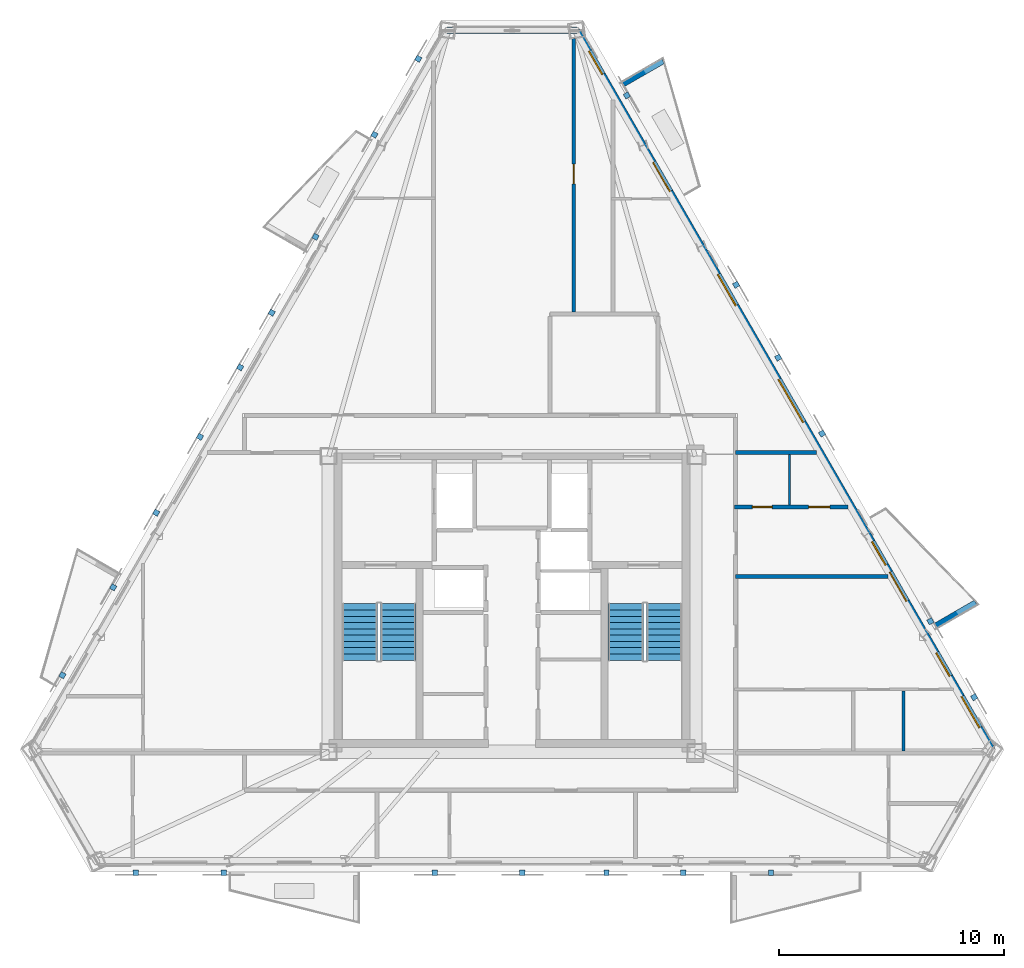
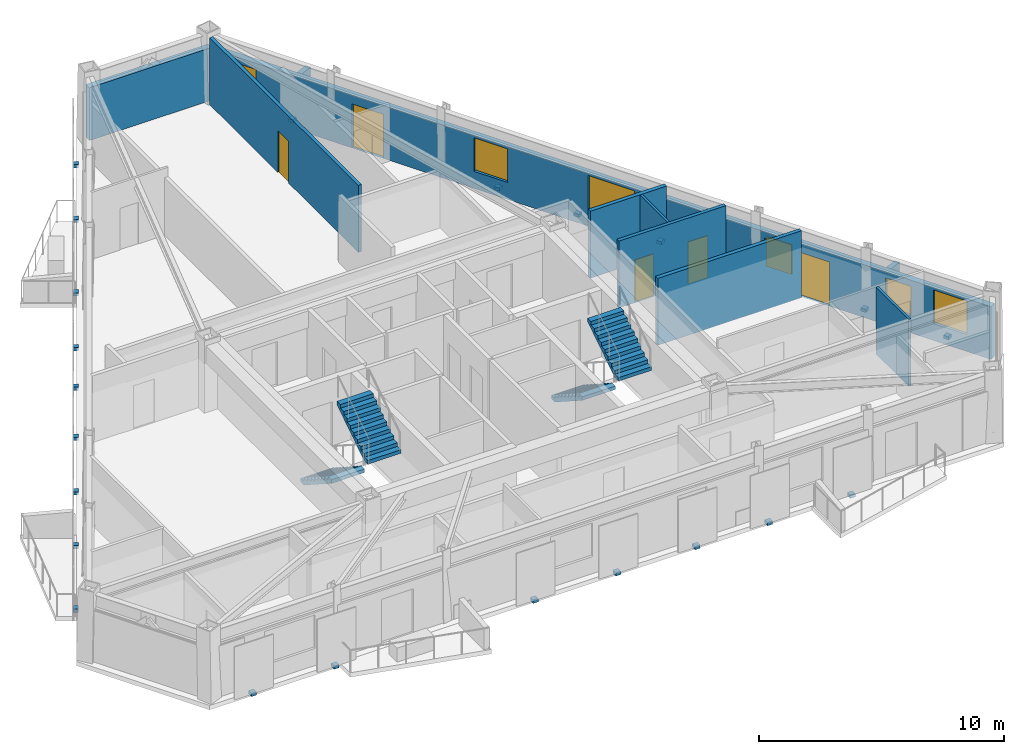
# One storey, part 5 of 8: 22 discrete accessories, 10 walls, 6 windows, 5 doors, 4 stair flights, 11 openings, 2 elements without a shape of their own.
"""IFC4 building model written with IfcOpenShell, lengths in metres."""

from ifc_helpers import new_model, si_unit, direction, frame, frame_2d, origin, origin_2d, place, context, subcontext, project, spatial, polyline, rectangle, outline, extrude, material, layer, layer_set, type_object, element, fill, aggregate, save


model = new_model("IFC4")

# Units and contexts
model_context = context("Model", 3, precision=1e-05, world=origin(), true_north=direction((0.0, 1.0)))
body_context = subcontext(model_context, "Body", "Model", "MODEL_VIEW")
ifc_project = project(units=[si_unit("LENGTHUNIT", "METRE"), si_unit("AREAUNIT", "SQUARE_METRE"), si_unit("VOLUMEUNIT", "CUBIC_METRE"), si_unit("PLANEANGLEUNIT", "RADIAN"), si_unit("MASSUNIT", "GRAM", prefix="KILO")], contexts=[model_context])

# Site, building, storey
site_placement = place(None, origin())
site = spatial("IfcSite", under=ifc_project, at=site_placement, CompositionType="ELEMENT")
building_placement = place(site_placement, origin())
building = spatial("IfcBuilding", under=site, at=building_placement, Name="Oramaril Tower", CompositionType="ELEMENT")
storey_placement = place(building_placement, frame((0.0, 0.0, 241.5)))
storey = spatial("IfcBuildingStorey", under=building, at=storey_placement, Name="L64", CompositionType="ELEMENT", Elevation=241.5)

# Wall, openings, doors, windows
ifc_material_1 = material(Name="Warm Cream Limestone", Category="masonry")
ifc_layer_1 = layer(ifc_material_1, 0.2900390625)
ifc_layer_set_1 = layer_set([ifc_layer_1], Name="WT-EXT29")
wall_type_1 = type_object("IfcWallType", Name="WT-EXT29", PredefinedType="SOLIDWALL", material=ifc_layer_set_1)
wall_1_placement = place(storey_placement, frame((58.857421875, 11.096923828125, 0.0), z_axis=(0.0, 0.0, 1.0), x_axis=(-0.499999075663, 0.86602593745, 0.0)))
wall_1 = element("IfcWall", 1, at=wall_1_placement, inside=storey, type_object=wall_type_1, Name="L64 Tower Limestone Facade Wall 4M", PredefinedType="SOLIDWALL", context=body_context, shape_type="SweptSolid", body=[
    extrude(rectangle(XDim=36.951171875, YDim=0.2900390625, at=frame_2d((18.4755859375, 0.0))), origin(), (0.0, 0.0, 1.0), 2.636962890625),
])
opening_1_placement = place(wall_1_placement, frame((7.614501953125, 0.0, 0.0)))
opening_1 = element("IfcOpeningElement", 2, at=opening_1_placement, cuts=wall_1, Name="Opening D-L64-BAL-NE1", PredefinedType="OPENING", context=body_context, shape_type="SweptSolid", body=[
    extrude(rectangle(XDim=1.5, YDim=2.199951171875, at=frame_2d((0.75, 1.10009765625))), frame((0.0, 0.14501953125, 0.0), z_axis=(0.0, -1.0, 0.0), x_axis=(1.0, 0.0, 0.0)), (0.0, 0.0, 1.0), 0.2900390625),
])
opening_2_placement = place(wall_1_placement, frame((28.661865234375, 0.0, 0.0)))
opening_2 = element("IfcOpeningElement", 3, at=opening_2_placement, cuts=wall_1, Name="Opening D-L64-BAL-NE2", PredefinedType="OPENING", context=body_context, shape_type="SweptSolid", body=[
    extrude(rectangle(XDim=1.5, YDim=2.199951171875, at=frame_2d((0.75, 1.10009765625))), frame((0.0, 0.14501953125, 0.0), z_axis=(0.0, -1.0, 0.0), x_axis=(1.0, 0.0, 0.0)), (0.0, 0.0, 1.0), 0.2900390625),
])
opening_3_placement = place(wall_1_placement, frame((3.768310546875, 0.0, 0.85009765625)))
opening_3 = element("IfcOpeningElement", 4, at=opening_3_placement, cuts=wall_1, Name="Opening WN-09", PredefinedType="OPENING", context=body_context, shape_type="SweptSolid", body=[
    extrude(rectangle(XDim=1.199951171875, YDim=1.47998046875, at=frame_2d((0.60009765625, 0.739990234375))), frame((0.0, 0.14501953125, 0.0), z_axis=(0.0, -1.0, 0.0), x_axis=(1.0, 0.0, 0.0)), (0.0, 0.0, 1.0), 0.2900390625),
])
opening_4_placement = place(wall_1_placement, frame((1.12158203125, 0.0, 0.85009765625)))
opening_4 = element("IfcOpeningElement", 5, at=opening_4_placement, cuts=wall_1, Name="Opening WN-07", PredefinedType="OPENING", context=body_context, shape_type="SweptSolid", body=[
    extrude(rectangle(XDim=1.60009765625, YDim=1.677001953125, at=frame_2d((0.800048828125, 0.83837890625))), frame((0.0, 0.14501953125, 0.0), z_axis=(0.0, -1.0, 0.0), x_axis=(1.0, 0.0, 0.0)), (0.0, 0.0, 1.0), 0.2900390625),
])
opening_5_placement = place(wall_1_placement, frame((34.68115234375, 0.0, 0.85009765625)))
opening_5 = element("IfcOpeningElement", 6, at=opening_5_placement, cuts=wall_1, Name="Opening WN-09", PredefinedType="OPENING", context=body_context, shape_type="SweptSolid", body=[
    extrude(rectangle(XDim=1.199951171875, YDim=1.47998046875, at=frame_2d((0.60009765625, 0.739990234375))), frame((0.0, 0.14501953125, 0.0), z_axis=(0.0, -1.0, 0.0), x_axis=(1.0, 0.0, 0.0)), (0.0, 0.0, 1.0), 0.2900390625),
])
opening_6_placement = place(wall_1_placement, frame((16.81005859375, 0.0, 0.85009765625)))
opening_6 = element("IfcOpeningElement", 7, at=opening_6_placement, cuts=wall_1, Name="Opening WN-04", PredefinedType="OPENING", context=body_context, shape_type="SweptSolid", body=[
    extrude(rectangle(XDim=2.199951171875, YDim=1.677001953125, at=frame_2d((1.10009765625, 0.83837890625))), frame((0.0, 0.14501953125, 0.0), z_axis=(0.0, -1.0, 0.0), x_axis=(1.0, 0.0, 0.0)), (0.0, 0.0, 1.0), 0.2900390625),
])
opening_7_placement = place(wall_1_placement, frame((22.80322265625, 0.0, 0.85009765625)))
opening_7 = element("IfcOpeningElement", 8, at=opening_7_placement, cuts=wall_1, Name="Opening WN-07", PredefinedType="OPENING", context=body_context, shape_type="SweptSolid", body=[
    extrude(rectangle(XDim=1.60009765625, YDim=1.677001953125, at=frame_2d((0.800048828125, 0.83837890625))), frame((0.0, 0.14501953125, 0.0), z_axis=(0.0, -1.0, 0.0), x_axis=(1.0, 0.0, 0.0)), (0.0, 0.0, 1.0), 0.2900390625),
])
opening_8_placement = place(wall_1_placement, frame((9.47802734375, 0.0, 0.85009765625)))
opening_8 = element("IfcOpeningElement", 9, at=opening_8_placement, cuts=wall_1, Name="Opening WN-09", PredefinedType="OPENING", context=body_context, shape_type="SweptSolid", body=[
    extrude(rectangle(XDim=1.199951171875, YDim=1.47998046875, at=frame_2d((0.60009765625, 0.739990234375))), frame((0.0, 0.14501953125, 0.0), z_axis=(0.0, -1.0, 0.0), x_axis=(1.0, 0.0, 0.0)), (0.0, 0.0, 1.0), 0.2900390625),
])
ifc_material_2 = material(Name="Anodised Aluminium 6063-T6", Category="aluminium")
door_type_1 = type_object("IfcDoorType", Name="DT-BAL", OperationType="NOTDEFINED", PredefinedType="DOOR", material=ifc_material_2)
door_1_placement = place(opening_1_placement, origin())
door_1 = element("IfcDoor", 10, at=door_1_placement, inside=storey, type_object=door_type_1, Name="L64 Balcony Glazed Door L64-BAL-NE1", OperationType="SINGLE_SWING_LEFT", OverallHeight=2.199951171875, OverallWidth=1.5, PredefinedType="DOOR", context=body_context, shape_type="SweptSolid", body=[
    extrude(rectangle(XDim=1.5, YDim=2.199951171875, at=frame_2d((0.75, 1.10009765625))), frame((0.0, 0.02490234375, 0.0), z_axis=(0.0, -1.0, 0.0), x_axis=(1.0, 0.0, 0.0)), (0.0, 0.0, 1.0), 0.050048828125),
])
fill(opening_1, door_1)
door_2_placement = place(opening_2_placement, origin())
door_2 = element("IfcDoor", 11, at=door_2_placement, inside=storey, type_object=door_type_1, Name="L64 Balcony Glazed Door L64-BAL-NE2", OperationType="SINGLE_SWING_RIGHT", OverallHeight=2.199951171875, OverallWidth=1.5, PredefinedType="DOOR", context=body_context, shape_type="SweptSolid", body=[
    extrude(rectangle(XDim=1.5, YDim=2.199951171875, at=frame_2d((0.75, 1.10009765625))), frame((0.0, 0.02490234375, 0.0), z_axis=(0.0, -1.0, 0.0), x_axis=(1.0, 0.0, 0.0)), (0.0, 0.0, 1.0), 0.050048828125),
])
fill(opening_2, door_2)
ifc_material_3 = material(Name="Coastal Low-E Insulated Glass", Category="glass")
window_type_1 = type_object("IfcWindowType", Name="WNT-04", PartitioningType="SINGLE_PANEL", PredefinedType="WINDOW", material=ifc_material_3)
window_1_placement = place(opening_6_placement, origin())
window_1 = element("IfcWindow", 12, at=window_1_placement, inside=storey, type_object=window_type_1, Name="L64 Chicago Bay Window WN-04", OverallHeight=1.677001953125, OverallWidth=2.199951171875, PartitioningType="SINGLE_PANEL", PredefinedType="WINDOW", context=body_context, shape_type="SweptSolid", body=[
    extrude(rectangle(XDim=2.199951171875, YDim=1.677001953125, at=frame_2d((1.10009765625, 0.83837890625))), frame((0.0, 0.030029296875, 0.0), z_axis=(0.0, -1.0, 0.0), x_axis=(1.0, 0.0, 0.0)), (0.0, 0.0, 1.0), 0.06005859375),
])
fill(opening_6, window_1)
ifc_material_4 = material(Name="Coastal Low-E Insulated Glass", Category="glass")
window_type_2 = type_object("IfcWindowType", Name="WNT-07", PartitioningType="SINGLE_PANEL", PredefinedType="WINDOW", material=ifc_material_4)
window_2_placement = place(opening_4_placement, origin())
window_2 = element("IfcWindow", 13, at=window_2_placement, inside=storey, type_object=window_type_2, Name="L64 Chicago Bay Window WN-07", OverallHeight=1.677001953125, OverallWidth=1.60009765625, PartitioningType="SINGLE_PANEL", PredefinedType="WINDOW", context=body_context, shape_type="SweptSolid", body=[
    extrude(rectangle(XDim=1.60009765625, YDim=1.677001953125, at=frame_2d((0.800048828125, 0.83837890625))), frame((0.0, 0.030029296875, 0.0), z_axis=(0.0, -1.0, 0.0), x_axis=(1.0, 0.0, 0.0)), (0.0, 0.0, 1.0), 0.06005859375),
])
fill(opening_4, window_2)
window_3_placement = place(opening_7_placement, origin())
window_3 = element("IfcWindow", 14, at=window_3_placement, inside=storey, type_object=window_type_2, Name="L64 Chicago Bay Window WN-07", OverallHeight=1.677001953125, OverallWidth=1.60009765625, PartitioningType="SINGLE_PANEL", PredefinedType="WINDOW", context=body_context, shape_type="SweptSolid", body=[
    extrude(rectangle(XDim=1.60009765625, YDim=1.677001953125, at=frame_2d((0.800048828125, 0.83837890625))), frame((0.0, 0.030029296875, 0.0), z_axis=(0.0, -1.0, 0.0), x_axis=(1.0, 0.0, 0.0)), (0.0, 0.0, 1.0), 0.06005859375),
])
fill(opening_7, window_3)
ifc_material_5 = material(Name="Coastal Low-E Insulated Glass", Category="glass")
window_type_3 = type_object("IfcWindowType", Name="WNT-09", PartitioningType="SINGLE_PANEL", PredefinedType="WINDOW", material=ifc_material_5)
window_4_placement = place(opening_3_placement, origin())
window_4 = element("IfcWindow", 15, at=window_4_placement, inside=storey, type_object=window_type_3, Name="L64 Chicago Bay Window WN-09", OverallHeight=1.47998046875, OverallWidth=1.199951171875, PartitioningType="SINGLE_PANEL", PredefinedType="WINDOW", context=body_context, shape_type="SweptSolid", body=[
    extrude(rectangle(XDim=1.199951171875, YDim=1.47998046875, at=frame_2d((0.60009765625, 0.739990234375))), frame((0.0, 0.030029296875, 0.0), z_axis=(0.0, -1.0, 0.0), x_axis=(1.0, 0.0, 0.0)), (0.0, 0.0, 1.0), 0.06005859375),
])
fill(opening_3, window_4)
window_5_placement = place(opening_5_placement, origin())
window_5 = element("IfcWindow", 16, at=window_5_placement, inside=storey, type_object=window_type_3, Name="L64 Chicago Bay Window WN-09", OverallHeight=1.47998046875, OverallWidth=1.199951171875, PartitioningType="SINGLE_PANEL", PredefinedType="WINDOW", context=body_context, shape_type="SweptSolid", body=[
    extrude(rectangle(XDim=1.199951171875, YDim=1.47998046875, at=frame_2d((0.60009765625, 0.739990234375))), frame((0.0, 0.030029296875, 0.0), z_axis=(0.0, -1.0, 0.0), x_axis=(1.0, 0.0, 0.0)), (0.0, 0.0, 1.0), 0.06005859375),
])
fill(opening_5, window_5)
window_6_placement = place(opening_8_placement, origin())
window_6 = element("IfcWindow", 17, at=window_6_placement, inside=storey, type_object=window_type_3, Name="L64 Apartment Bedroom Window WN-09", OverallHeight=1.47998046875, OverallWidth=1.199951171875, PartitioningType="SINGLE_PANEL", PredefinedType="WINDOW", context=body_context, shape_type="SweptSolid", body=[
    extrude(rectangle(XDim=1.199951171875, YDim=1.47998046875, at=frame_2d((0.60009765625, 0.739990234375))), frame((0.0, 0.030029296875, 0.0), z_axis=(0.0, -1.0, 0.0), x_axis=(1.0, 0.0, 0.0)), (0.0, 0.0, 1.0), 0.06005859375),
])
fill(opening_8, window_6)

# Walls
wall_2_placement = place(storey_placement, frame((40.3818359375, 43.09765625, 0.0), z_axis=(0.0, 0.0, 1.0), x_axis=(-1.0, 0.0, 0.0)))
element("IfcWall", 18, at=wall_2_placement, inside=storey, type_object=wall_type_1, Name="L64 Tower Limestone Facade Wall 5M", PredefinedType="SOLIDWALL", context=body_context, shape_type="SweptSolid", body=[
    extrude(rectangle(XDim=5.763671875, YDim=0.2900390625, at=frame_2d((2.8818359375, 0.0))), origin(), (0.0, 0.0, 1.0), 2.636962890625),
])
ifc_material_6 = material(Name="Concrete C40/50", Category="concrete")
ifc_layer_2 = layer(ifc_material_6, 0.22998046875)
ifc_layer_set_2 = layer_set([ifc_layer_2], Name="WT-PRP23")
wall_type_2 = type_object("IfcWallType", Name="WT-PRP23", PredefinedType="PARAPET", material=ifc_layer_set_2)
for number, where, z_axis, x_axis, name in (
    (19, (56.355712890625, 16.626220703125, 0.0), (0.0, 0.0, 1.0), (0.866012356593, 0.500022597718, 0.0), "L64 Trapezoidal Balcony Frame Cheek L64-BAL-NE1-L"),
    (20, (42.456787109375, 40.699462890625, 0.0), (0.0, 0.0, 1.0), (0.866042246008, 0.499970827278, 0.0), "L64 Trapezoidal Balcony Frame Cheek L64-BAL-NE2-R"),
):
    element("IfcWall", number, at=place(storey_placement, frame(where, z_axis=z_axis, x_axis=x_axis)), inside=storey, type_object=wall_type_2, Name=name, PredefinedType="PARAPET", context=body_context, shape_type="SweptSolid", body=[
        extrude(outline(polyline([(0.0, 0.0), (2.0419921875, 0.0), (2.0419921875, 1.10009765625), (0.0, 1.320068359375), (0.0, 0.0)])), frame((0.0, 0.114990234375, 0.0), z_axis=(0.0, -1.0, 0.0), x_axis=(1.0, 0.0, 0.0)), (0.0, 0.0, 1.0), 0.22998046875),
    ])
ifc_material_7 = material(Name="Acoustic Gypsum Board Partition")
ifc_layer_3 = layer(ifc_material_7, 0.10009765625)
ifc_layer_set_3 = layer_set([ifc_layer_3], Name="WT-PT10")
wall_type_3 = type_object("IfcWallType", Name="WT-PT10", PredefinedType="PARTITIONING", material=ifc_layer_set_3)
wall_3_placement = place(storey_placement, frame((49.85009765625, 21.97412109375, 0.0), z_axis=(0.0, 0.0, 1.0), x_axis=(0.0, 1.0, 0.0)))
element("IfcWall", 21, at=wall_3_placement, inside=storey, type_object=wall_type_3, Name="L64 Interior Partition PT-10", PredefinedType="PARTITIONING", context=body_context, shape_type="SweptSolid", body=[
    extrude(rectangle(XDim=2.251953125, YDim=0.10009765625, at=frame_2d((1.1259765625, 0.0))), origin(), (0.0, 0.0, 1.0), 3.340087890625),
])
ifc_material_8 = material(Name="Acoustic Gypsum Board Partition")
ifc_layer_4 = layer(ifc_material_8, 0.1201171875)
ifc_layer_set_4 = layer_set([ifc_layer_4], Name="WT-PT12")
wall_type_4 = type_object("IfcWallType", Name="WT-PT12", PredefinedType="PARTITIONING", material=ifc_layer_set_4)
wall_4_placement = place(storey_placement, frame((54.919921875, 11.0439453125, 0.0), z_axis=(0.0, 0.0, 1.0), x_axis=(0.0, 1.0, 0.0)))
element("IfcWall", 22, at=wall_4_placement, inside=storey, type_object=wall_type_4, Name="L64 Interior Partition PT-12", PredefinedType="PARTITIONING", context=body_context, shape_type="SweptSolid", body=[
    extrude(rectangle(XDim=2.672119140625, YDim=0.1201171875, at=frame_2d((1.3359375, 0.0))), origin(), (0.0, 0.0, 1.0), 3.340087890625),
])

# Wall, openings, doors
ifc_material_9 = material(Name="Acoustic Gypsum Board Partition")
ifc_layer_5 = layer(ifc_material_9, 0.159912109375)
ifc_layer_set_5 = layer_set([ifc_layer_5], Name="WT-PT16")
wall_type_5 = type_object("IfcWallType", Name="WT-PT16", PredefinedType="PARTITIONING", material=ifc_layer_set_5)
wall_5_placement = place(storey_placement, frame((47.39990234375, 21.889892578125, 0.0), z_axis=(0.0, 0.0, 1.0), x_axis=(1.0, 0.0, 0.0)))
wall_5 = element("IfcWall", 23, at=wall_5_placement, inside=storey, type_object=wall_type_5, Name="L64 Interior Partition PT-16", PredefinedType="PARTITIONING", context=body_context, shape_type="SweptSolid", body=[
    extrude(rectangle(XDim=5.05419921875, YDim=0.159912109375, at=frame_2d((2.527099609375, 0.0))), origin(), (0.0, 0.0, 1.0), 3.340087890625),
])
opening_9_placement = place(wall_5_placement, frame((0.794921875, 0.0, 0.0)))
opening_9 = element("IfcOpeningElement", 24, at=opening_9_placement, cuts=wall_5, Name="Opening D-L64-07", PredefinedType="OPENING", context=body_context, shape_type="SweptSolid", body=[
    extrude(rectangle(XDim=0.8798828125, YDim=2.080078125, at=frame_2d((0.43994140625, 1.0400390625))), frame((0.0, 0.080078125, 0.0), z_axis=(0.0, -1.0, 0.0), x_axis=(1.0, 0.0, 0.0)), (0.0, 0.0, 1.0), 0.159912109375),
])
opening_10_placement = place(wall_5_placement, frame((3.291015625, 0.0, 0.0)))
opening_10 = element("IfcOpeningElement", 25, at=opening_10_placement, cuts=wall_5, Name="Opening D-L64-08", PredefinedType="OPENING", context=body_context, shape_type="SweptSolid", body=[
    extrude(rectangle(XDim=0.949951171875, YDim=2.10009765625, at=frame_2d((0.47509765625, 1.050048828125))), frame((0.0, 0.080078125, 0.0), z_axis=(0.0, -1.0, 0.0), x_axis=(1.0, 0.0, 0.0)), (0.0, 0.0, 1.0), 0.159912109375),
])
ifc_material_10 = material(Name="FSC Brazilian Freijo Hardwood", Category="wood")
door_type_2 = type_object("IfcDoorType", Name="DT-BATH", OperationType="NOTDEFINED", PredefinedType="DOOR", material=ifc_material_10)
door_3_placement = place(opening_9_placement, origin())
door_3 = element("IfcDoor", 26, at=door_3_placement, inside=storey, type_object=door_type_2, Name="L64 Flat L64-U6 Bathroom Door D-L64-07", OperationType="SINGLE_SWING_LEFT", OverallHeight=2.080078125, OverallWidth=0.8798828125, PredefinedType="DOOR", context=body_context, shape_type="SweptSolid", body=[
    extrude(rectangle(XDim=0.8798828125, YDim=2.080078125, at=frame_2d((0.43994140625, 1.0400390625))), frame((0.0, 0.02490234375, 0.0), z_axis=(0.0, -1.0, 0.0), x_axis=(1.0, 0.0, 0.0)), (0.0, 0.0, 1.0), 0.050048828125),
])
fill(opening_9, door_3)
ifc_material_11 = material(Name="FSC Brazilian Freijo Hardwood", Category="wood")
door_type_3 = type_object("IfcDoorType", Name="DT-STDY", OperationType="NOTDEFINED", PredefinedType="DOOR", material=ifc_material_11)
door_4_placement = place(opening_10_placement, origin())
door_4 = element("IfcDoor", 27, at=door_4_placement, inside=storey, type_object=door_type_3, Name="L64 Flat L64-U6 Kitchen Door D-L64-08", OperationType="SINGLE_SWING_RIGHT", OverallHeight=2.10009765625, OverallWidth=0.949951171875, PredefinedType="DOOR", context=body_context, shape_type="SweptSolid", body=[
    extrude(rectangle(XDim=0.949951171875, YDim=2.10009765625, at=frame_2d((0.47509765625, 1.050048828125))), frame((0.0, 0.02490234375, 0.0), z_axis=(0.0, -1.0, 0.0), x_axis=(1.0, 0.0, 0.0)), (0.0, 0.0, 1.0), 0.050048828125),
])
fill(opening_10, door_4)

# Wall, opening, door
wall_6_placement = place(storey_placement, frame((40.239990234375, 30.56396484375, 0.0), z_axis=(0.0, 0.0, 1.0), x_axis=(0.0, 1.0, 0.0)))
wall_6 = element("IfcWall", 28, at=wall_6_placement, inside=storey, type_object=wall_type_5, Name="L64 Interior Partition PT-16", PredefinedType="PARTITIONING", context=body_context, shape_type="SweptSolid", body=[
    extrude(rectangle(XDim=12.1640625, YDim=0.159912109375, at=frame_2d((6.08203125, 0.0))), origin(), (0.0, 0.0, 1.0), 3.340087890625),
])
opening_11_placement = place(wall_6_placement, frame((5.704833984375, 0.0, 0.0)))
opening_11 = element("IfcOpeningElement", 29, at=opening_11_placement, cuts=wall_6, Name="Opening D-L64-20", PredefinedType="OPENING", context=body_context, shape_type="SweptSolid", body=[
    extrude(rectangle(XDim=0.8798828125, YDim=2.080078125, at=frame_2d((0.43994140625, 1.0400390625))), frame((0.0, 0.080078125, 0.0), z_axis=(0.0, -1.0, 0.0), x_axis=(1.0, 0.0, 0.0)), (0.0, 0.0, 1.0), 0.159912109375),
])
door_5_placement = place(opening_11_placement, origin())
door_5 = element("IfcDoor", 30, at=door_5_placement, inside=storey, type_object=door_type_2, Name="L64 Flat L64-U8 Bathroom Door D-L64-20", OperationType="SINGLE_SWING_RIGHT", OverallHeight=2.080078125, OverallWidth=0.8798828125, PredefinedType="DOOR", context=body_context, shape_type="SweptSolid", body=[
    extrude(rectangle(XDim=0.8798828125, YDim=2.080078125, at=frame_2d((0.43994140625, 1.0400390625))), frame((0.0, 0.02490234375, 0.0), z_axis=(0.0, -1.0, 0.0), x_axis=(1.0, 0.0, 0.0)), (0.0, 0.0, 1.0), 0.050048828125),
])
fill(opening_11, door_5)

# Walls
ifc_material_12 = material(Name="Autoclaved Cellular Concrete Block", Category="concrete")
ifc_layer_6 = layer(ifc_material_12, 0.179931640625)
ifc_layer_set_6 = layer_set([ifc_layer_6], Name="WT-PT18")
wall_type_6 = type_object("IfcWallType", Name="WT-PT18", PredefinedType="PARTITIONING", material=ifc_layer_set_6)
wall_7_placement = place(storey_placement, frame((47.449951171875, 18.800048828125, 0.0), z_axis=(0.0, 0.0, 1.0), x_axis=(1.0, 0.0, 0.0)))
element("IfcWall", 31, at=wall_7_placement, inside=storey, type_object=wall_type_6, Name="L64 Interior Partition PT-18", PredefinedType="PARTITIONING", context=body_context, shape_type="SweptSolid", body=[
    extrude(rectangle(XDim=6.7880859375, YDim=0.179931640625, at=frame_2d((3.39404296875, 0.0))), origin(), (0.0, 0.0, 1.0), 3.340087890625),
])
wall_8_placement = place(storey_placement, frame((47.449951171875, 24.320068359375, 0.0), z_axis=(0.0, 0.0, 1.0), x_axis=(1.0, 0.0, 0.0)))
element("IfcWall", 32, at=wall_8_placement, inside=storey, type_object=wall_type_6, Name="L64 Interior Partition PT-18", PredefinedType="PARTITIONING", context=body_context, shape_type="SweptSolid", body=[
    extrude(rectangle(XDim=3.60107421875, YDim=0.179931640625, at=frame_2d((1.800537109375, 0.0))), origin(), (0.0, 0.0, 1.0), 3.340087890625),
])

# Stair, stair flights
ifc_material_13 = material(Name="Concrete C50/60", Category="concrete")
stair_type = type_object("IfcStairType", Name="STT-DG-3600", PredefinedType="HALF_TURN_STAIR", material=ifc_material_13)
stair_1_placement = place(storey_placement, origin())
stair_1 = element("IfcStair", 33, at=stair_1_placement, inside=storey, type_object=stair_type, Name="L64 Protected PFP Exit Stair ST-1", PredefinedType="HALF_TURN_STAIR")
ifc_material_14 = material(Name="Concrete C50/60", Category="concrete")
stair_flight_type = type_object("IfcStairFlightType", Name="SFT-DG-3600", PredefinedType="STRAIGHT", material=ifc_material_14)
stair_flight_1_placement = place(storey_placement, frame((30.72998046875, 17.590087890625, 0.0), z_axis=(0.0, 0.0, 1.0), x_axis=(0.0, -1.0, 0.0)))
stair_flight_1 = element("IfcStairFlight", 34, at=stair_flight_1_placement, type_object=stair_flight_type, Name="ST-1 flight 1", NumberOfRisers=10, NumberOfTreads=9, PredefinedType="STRAIGHT", RiserHeight=0.18, TreadLength=0.28, context=body_context, shape_type="SweptSolid", body=[
    extrude(outline(polyline([(0.0, 0.0), (0.0, 0.179931640625), (0.280029296875, 0.179931640625), (0.280029296875, 0.360107421875), (0.56005859375, 0.360107421875), (0.56005859375, 0.5400390625), (0.840087890625, 0.5400390625), (0.840087890625, 0.719970703125), (1.1201171875, 0.719970703125), (1.1201171875, 0.89990234375), (1.39990234375, 0.89990234375), (1.39990234375, 1.080078125), (1.679931640625, 1.080078125), (1.679931640625, 1.260009765625), (1.9599609375, 1.260009765625), (1.9599609375, 1.43994140625), (2.239990234375, 1.43994140625), (2.239990234375, 1.6201171875), (2.52001953125, 1.6201171875), (2.52001953125, 1.800048828125), (2.52001953125, 1.44189453125), (0.277099609375, 0.0), (0.0, 0.0)])), frame((0.0, 0.780029296875, 0.0), z_axis=(0.0, -1.0, 0.0), x_axis=(1.0, 0.0, 0.0)), (0.0, 0.0, 1.0), 1.56005859375),
])
stair_flight_2_placement = place(storey_placement, frame((32.43994140625, 15.070068359375, 1.800048828125), z_axis=(0.0, 0.0, 1.0), x_axis=(0.0, 1.0, 0.0)))
stair_flight_2 = element("IfcStairFlight", 35, at=stair_flight_2_placement, type_object=stair_flight_type, Name="ST-1 flight 2", NumberOfRisers=10, NumberOfTreads=9, PredefinedType="STRAIGHT", RiserHeight=0.18, TreadLength=0.28, context=body_context, shape_type="SweptSolid", body=[
    extrude(outline(polyline([(0.0, 0.0), (0.0, 0.179931640625), (0.280029296875, 0.179931640625), (0.280029296875, 0.360107421875), (0.56005859375, 0.360107421875), (0.56005859375, 0.5400390625), (0.840087890625, 0.5400390625), (0.840087890625, 0.719970703125), (1.1201171875, 0.719970703125), (1.1201171875, 0.89990234375), (1.39990234375, 0.89990234375), (1.39990234375, 1.080078125), (1.679931640625, 1.080078125), (1.679931640625, 1.260009765625), (1.9599609375, 1.260009765625), (1.9599609375, 1.43994140625), (2.239990234375, 1.43994140625), (2.239990234375, 1.6201171875), (2.52001953125, 1.6201171875), (2.52001953125, 1.800048828125), (2.52001953125, 1.44189453125), (0.277099609375, 0.0), (0.0, 0.0)])), frame((0.0, 0.780029296875, 0.0), z_axis=(0.0, -1.0, 0.0), x_axis=(1.0, 0.0, 0.0)), (0.0, 0.0, 1.0), 1.56005859375),
])
aggregate(stair_1, [stair_flight_1, stair_flight_2])

stair_2_placement = place(storey_placement, origin())
stair_2 = element("IfcStair", 36, at=stair_2_placement, inside=storey, type_object=stair_type, Name="L64 Protected PFP Exit Stair ST-2", PredefinedType="HALF_TURN_STAIR")
stair_flight_3_placement = place(storey_placement, frame((42.56005859375, 17.590087890625, 0.0), z_axis=(0.0, 0.0, 1.0), x_axis=(0.0, -1.0, 0.0)))
stair_flight_3 = element("IfcStairFlight", 37, at=stair_flight_3_placement, type_object=stair_flight_type, Name="ST-2 flight 1", NumberOfRisers=10, NumberOfTreads=9, PredefinedType="STRAIGHT", RiserHeight=0.18, TreadLength=0.28, context=body_context, shape_type="SweptSolid", body=[
    extrude(outline(polyline([(0.0, 0.0), (0.0, 0.179931640625), (0.280029296875, 0.179931640625), (0.280029296875, 0.360107421875), (0.56005859375, 0.360107421875), (0.56005859375, 0.5400390625), (0.840087890625, 0.5400390625), (0.840087890625, 0.719970703125), (1.1201171875, 0.719970703125), (1.1201171875, 0.89990234375), (1.39990234375, 0.89990234375), (1.39990234375, 1.080078125), (1.679931640625, 1.080078125), (1.679931640625, 1.260009765625), (1.9599609375, 1.260009765625), (1.9599609375, 1.43994140625), (2.239990234375, 1.43994140625), (2.239990234375, 1.6201171875), (2.52001953125, 1.6201171875), (2.52001953125, 1.800048828125), (2.52001953125, 1.44189453125), (0.277099609375, 0.0), (0.0, 0.0)])), frame((0.0, 0.780029296875, 0.0), z_axis=(0.0, -1.0, 0.0), x_axis=(1.0, 0.0, 0.0)), (0.0, 0.0, 1.0), 1.56005859375),
])
stair_flight_4_placement = place(storey_placement, frame((44.27001953125, 15.070068359375, 1.800048828125), z_axis=(0.0, 0.0, 1.0), x_axis=(0.0, 1.0, 0.0)))
stair_flight_4 = element("IfcStairFlight", 38, at=stair_flight_4_placement, type_object=stair_flight_type, Name="ST-2 flight 2", NumberOfRisers=10, NumberOfTreads=9, PredefinedType="STRAIGHT", RiserHeight=0.18, TreadLength=0.28, context=body_context, shape_type="SweptSolid", body=[
    extrude(outline(polyline([(0.0, 0.0), (0.0, 0.179931640625), (0.280029296875, 0.179931640625), (0.280029296875, 0.360107421875), (0.56005859375, 0.360107421875), (0.56005859375, 0.5400390625), (0.840087890625, 0.5400390625), (0.840087890625, 0.719970703125), (1.1201171875, 0.719970703125), (1.1201171875, 0.89990234375), (1.39990234375, 0.89990234375), (1.39990234375, 1.080078125), (1.679931640625, 1.080078125), (1.679931640625, 1.260009765625), (1.9599609375, 1.260009765625), (1.9599609375, 1.43994140625), (2.239990234375, 1.43994140625), (2.239990234375, 1.6201171875), (2.52001953125, 1.6201171875), (2.52001953125, 1.800048828125), (2.52001953125, 1.44189453125), (0.277099609375, 0.0), (0.0, 0.0)])), frame((0.0, 0.780029296875, 0.0), z_axis=(0.0, -1.0, 0.0), x_axis=(1.0, 0.0, 0.0)), (0.0, 0.0, 1.0), 1.56005859375),
])
aggregate(stair_2, [stair_flight_3, stair_flight_4])

# Discrete accessories
for number, where, z_axis, x_axis, name in (
    (39, (20.768798828125, 5.62548828125, -0.14013671875), (0.0, 0.0, 1.0), (1.0, 0.0, 0.0), "L64 Solar Screen Slab Bracket"),
    (40, (24.668701171875, 5.62548828125, -0.14013671875), (0.0, 0.0, 1.0), (1.0, 0.0, 0.0), "L64 Solar Screen Slab Bracket"),
    (41, (34.06396484375, 5.62548828125, -0.14013671875), (0.0, 0.0, 1.0), (1.0, 0.0, 0.0), "L64 Solar Screen Slab Bracket"),
    (42, (37.9638671875, 5.62548828125, -0.14013671875), (0.0, 0.0, 1.0), (1.0, 0.0, 0.0), "L64 Solar Screen Slab Bracket"),
    (43, (41.7060546875, 5.62548828125, -0.14013671875), (0.0, 0.0, 1.0), (1.0, 0.0, 0.0), "L64 Solar Screen Slab Bracket"),
    (44, (45.122802734375, 5.62548828125, -0.14013671875), (0.0, 0.0, 1.0), (1.0, 0.0, 0.0), "L64 Solar Screen Slab Bracket"),
    (45, (49.02294921875, 5.62548828125, -0.14013671875), (0.0, 0.0, 1.0), (1.0, 0.0, 0.0), "L64 Solar Screen Slab Bracket"),
    (46, (58.06396484375, 13.43115234375, -0.14013671875), (0.0, 0.0, 1.0), (-0.4999984885, 0.866026276448, 0.0), "L64 Solar Screen Slab Bracket"),
    (47, (56.114013671875, 16.80859375, -0.14013671875), (0.0, 0.0, 1.0), (-0.4999984885, 0.866026276448, 0.0), "L64 Solar Screen Slab Bracket"),
    (48, (42.607666015625, 40.202392578125, -0.14013671875), (0.0, 0.0, 1.0), (-0.4999984885, 0.866026276448, 0.0), "L64 Solar Screen Slab Bracket"),
    (49, (51.293212890625, 25.15869140625, -0.14013671875), (0.0, 0.0, 1.0), (-0.4999984885, 0.866026276448, 0.0), "L64 Solar Screen Slab Bracket"),
    (50, (49.343017578125, 28.536376953125, -0.14013671875), (0.0, 0.0, 1.0), (-0.4999984885, 0.866026276448, 0.0), "L64 Solar Screen Slab Bracket"),
    (51, (47.471435546875, 31.77783203125, -0.14013671875), (0.0, 0.0, 1.0), (-0.4999984885, 0.866026276448, 0.0), "L64 Solar Screen Slab Bracket"),
    (52, (23.6220703125, 25.01171875, -0.14013671875), (0.0, 0.0, 1.0), (-0.4999984885, -0.866026276448, 0.0), "L64 Solar Screen Slab Bracket"),
    (53, (21.672119140625, 21.63427734375, -0.14013671875), (0.0, 0.0, 1.0), (-0.4999984885, -0.866026276448, 0.0), "L64 Solar Screen Slab Bracket"),
    (54, (19.757568359375, 18.318359375, -0.14013671875), (0.0, 0.0, 1.0), (-0.4999984885, -0.866026276448, 0.0), "L64 Solar Screen Slab Bracket"),
    (55, (17.500244140625, 14.408203125, -0.14013671875), (0.0, 0.0, 1.0), (-0.4999984885, -0.866026276448, 0.0), "L64 Solar Screen Slab Bracket"),
    (56, (28.760986328125, 33.912841796875, -0.14013671875), (0.0, 0.0, 1.0), (-0.4999984885, -0.866026276448, 0.0), "L64 Solar Screen Slab Bracket"),
    (57, (26.81103515625, 30.535400390625, -0.14013671875), (0.0, 0.0, 1.0), (-0.4999984885, -0.866026276448, 0.0), "L64 Solar Screen Slab Bracket"),
    (58, (25.407470703125, 28.104248046875, -0.14013671875), (0.0, 0.0, 1.0), (-0.4999984885, -0.866026276448, 0.0), "L64 Solar Screen Slab Bracket"),
    (59, (33.331787109375, 41.82958984375, -0.14013671875), (0.0, 0.0, 1.0), (-0.4999984885, -0.866026276448, 0.0), "L64 Solar Screen Slab Bracket"),
    (60, (31.381591796875, 38.451904296875, -0.14013671875), (0.0, 0.0, 1.0), (-0.4999984885, -0.866026276448, 0.0), "L64 Solar Screen Slab Bracket"),
):
    element("IfcDiscreteAccessory", number, at=place(storey_placement, frame(where, z_axis=z_axis, x_axis=x_axis)), inside=storey, Name=name, PredefinedType="BRACKET", context=body_context, shape_type="SweptSolid", body=[
        extrude(rectangle(XDim=0.239990234375, YDim=0.239990234375, at=origin_2d()), origin(), (0.0, 0.0, 1.0), 0.159912109375),
    ])

save(model, "model.ifc")
